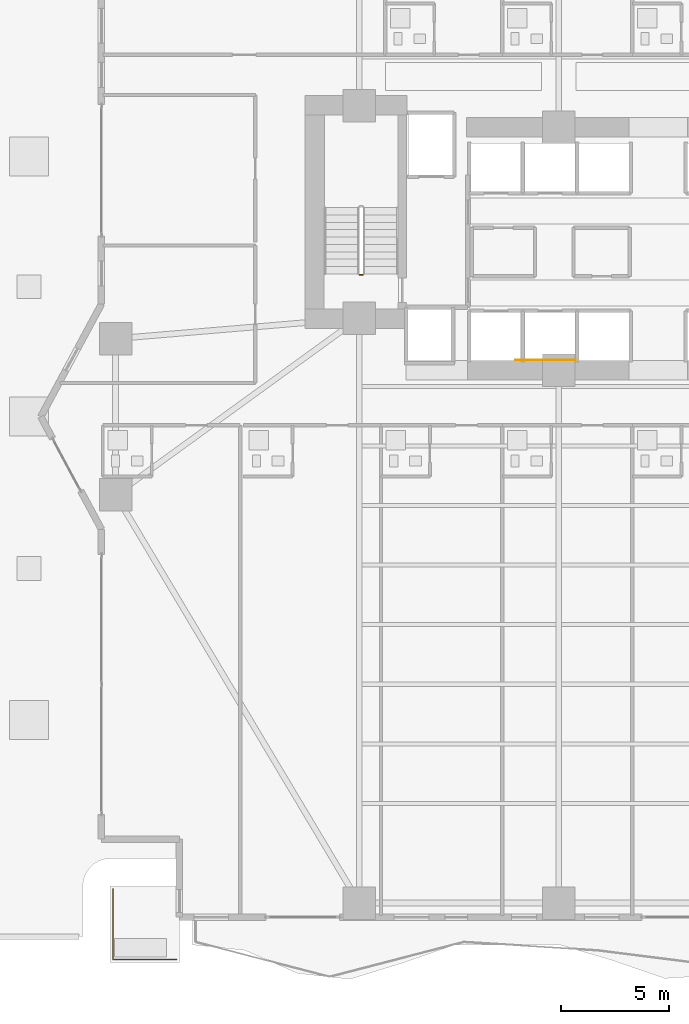
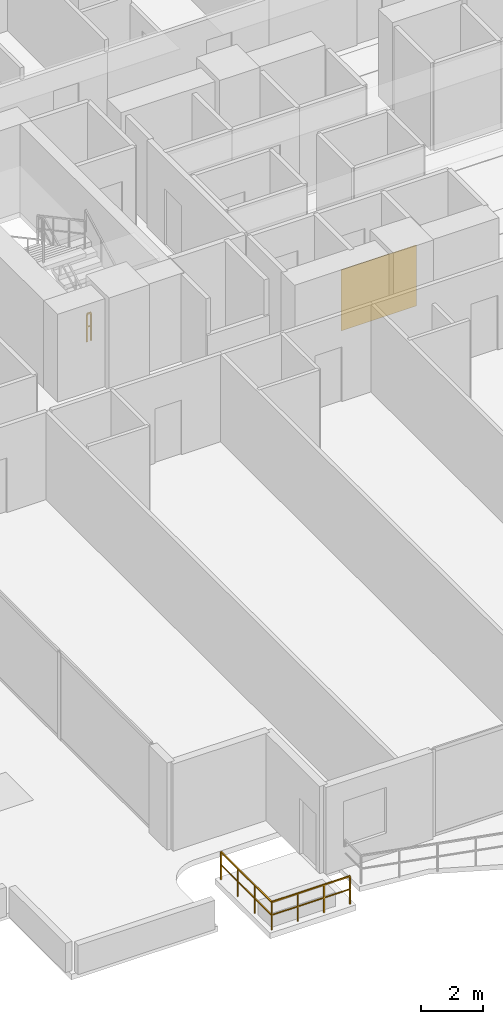
# One storey, part 26 of 30: 2 railings, 1 covering.
"""IFC4 building model written with IfcOpenShell, lengths in metres."""

from ifc_helpers import new_model, si_unit, direction, frame, origin, origin_2d, place, context, subcontext, project, spatial, rectangle, extrude, material, layer, layer_set, type_object, element, save


model = new_model("IFC4")

# Units and contexts
model_context = context("Model", 3, precision=1e-05, world=origin(), true_north=direction((0.0, 1.0)))
body_context = subcontext(model_context, "Body", "Model", "MODEL_VIEW")
ifc_project = project(units=[si_unit("LENGTHUNIT", "METRE"), si_unit("AREAUNIT", "SQUARE_METRE"), si_unit("VOLUMEUNIT", "CUBIC_METRE"), si_unit("PLANEANGLEUNIT", "RADIAN"), si_unit("MASSUNIT", "GRAM", prefix="KILO")], contexts=[model_context])

# Site, building, storey
site_placement = place(None, origin())
site = spatial("IfcSite", under=ifc_project, at=site_placement, CompositionType="ELEMENT")
building_placement = place(site_placement, origin())
building = spatial("IfcBuilding", under=site, at=building_placement, Name="Zuhayl Quay Hotel", CompositionType="ELEMENT")
storey_placement = place(building_placement, frame((0.0, 0.0, 27.60009765625)))
storey = spatial("IfcBuildingStorey", under=building, at=storey_placement, Name="L05", CompositionType="ELEMENT", Elevation=27.60009765625)

# Covering
ifc_material_1 = material(Name="Acoustic Walnut Feature Timber", Category="wood")
ifc_layer = layer(ifc_material_1, 0.02197265625, Name="Acoustic Walnut Feature Timber", Category="wood")
ifc_layer_set = layer_set([ifc_layer], Name="Acoustic Walnut Feature Timber")
covering_type = type_object("IfcCoveringType", Name="CV_WALL_CLAD", PredefinedType="CLADDING", material=ifc_layer_set)
covering_placement = place(storey_placement, frame((-5.199951171875, 2.611083984375, 0.300048828125), z_axis=(0.0, 0.0, 1.0), x_axis=(1.0, 0.0, 0.0)))
element("IfcCovering", 1, at=covering_placement, inside=storey, type_object=covering_type, Name="L05 Feature Lobby Walnut Wall Cladding W", PredefinedType="CLADDING", context=body_context, shape_type="SweptSolid", body=[
    extrude(rectangle(XDim=2.800048828125, YDim=0.02197265625, at=origin_2d()), origin(), (0.0, 0.0, 1.0), 2.39990234375),
])

# Railings
ifc_material_2 = material(Name="Anodised Aluminium and Laminated Glass", Category="aluminium")
railing_type_1 = type_object("IfcRailingType", Name="RL_EXT_BAL_1100", PredefinedType="BALUSTRADE", material=ifc_material_2)
railing_1_placement = place(storey_placement, frame((-25.159912109375, -21.7900390625, 0.0)))
element("IfcRailing", 2, at=railing_1_placement, inside=storey, type_object=railing_type_1, Name="L05 Balcony and Terrace Guard GR_L05_SPIRAL_SW", PredefinedType="BALUSTRADE", context=body_context, shape_type="SweptSolid", body=[
    extrude(rectangle(XDim=0.048095703125, YDim=0.048095703125, at=origin_2d()), frame((0.0, 0.0, 1.09619140625), z_axis=(0.0, -1.0, 0.0), x_axis=(1.0, 0.0, 0.0)), (0.0, 0.0, 1.0), 3.27001953125),
    extrude(rectangle(XDim=0.0361328125, YDim=0.0361328125, at=origin_2d()), frame((0.0, 0.0, 0.58251953125), z_axis=(0.0, -1.0, 0.0), x_axis=(1.0, 0.0, 0.0)), (0.0, 0.0, 1.0), 3.27001953125),
    extrude(rectangle(XDim=0.048095703125, YDim=0.048095703125, at=origin_2d()), frame((0.0, -3.27001953125, 1.09619140625), z_axis=(1.0, 0.0, 0.0), x_axis=(0.0, 1.0, 0.0)), (0.0, 0.0, 1.0), 2.919921875),
    extrude(rectangle(XDim=0.0361328125, YDim=0.0361328125, at=origin_2d()), frame((0.0, -3.27001953125, 0.58251953125), z_axis=(1.0, 0.0, 0.0), x_axis=(0.0, 1.0, 0.0)), (0.0, 0.0, 1.0), 2.919921875),
    extrude(rectangle(XDim=0.0419921875, YDim=0.0419921875, at=origin_2d()), origin(), (0.0, 0.0, 1.0), 1.072021484375),
    extrude(rectangle(XDim=0.0419921875, YDim=0.0419921875, at=origin_2d()), frame((0.0, -1.090087890625, 0.0)), (0.0, 0.0, 1.0), 1.072021484375),
    extrude(rectangle(XDim=0.0419921875, YDim=0.0419921875, at=origin_2d()), frame((0.0, -2.179931640625, 0.0)), (0.0, 0.0, 1.0), 1.072021484375),
    extrude(rectangle(XDim=0.0419921875, YDim=0.0419921875, at=origin_2d()), frame((0.0, -3.27001953125, 0.0)), (0.0, 0.0, 1.0), 1.072021484375),
    extrude(rectangle(XDim=0.0419921875, YDim=0.0419921875, at=origin_2d()), frame((0.973388671875, -3.27001953125, 0.0)), (0.0, 0.0, 1.0), 1.072021484375),
    extrude(rectangle(XDim=0.0419921875, YDim=0.0419921875, at=origin_2d()), frame((1.946533203125, -3.27001953125, 0.0)), (0.0, 0.0, 1.0), 1.072021484375),
    extrude(rectangle(XDim=0.0419921875, YDim=0.0419921875, at=origin_2d()), frame((2.919921875, -3.27001953125, 0.0)), (0.0, 0.0, 1.0), 1.072021484375),
])
ifc_material_3 = material(Name="Steel ASTM A992 Grade 50", Category="steel")
railing_type_2 = type_object("IfcRailingType", Name="RL_GUARD_1100", PredefinedType="GUARDRAIL", material=ifc_material_3)
railing_2_placement = place(storey_placement, frame((-13.639892578125, 6.5400390625, 0.0)))
element("IfcRailing", 3, at=railing_2_placement, inside=storey, type_object=railing_type_2, Name="L05 ST1 stair guard 4", PredefinedType="GUARDRAIL", context=body_context, shape_type="SweptSolid", body=[
    extrude(rectangle(XDim=0.048095703125, YDim=0.048095703125, at=origin_2d()), frame((0.0, 0.0, 1.09619140625), z_axis=(-1.0, 0.0, 0.0), x_axis=(0.0, -1.0, 0.0)), (0.0, 0.0, 1.0), 0.150146484375),
    extrude(rectangle(XDim=0.0361328125, YDim=0.0361328125, at=origin_2d()), frame((0.0, 0.0, 0.58251953125), z_axis=(-1.0, 0.0, 0.0), x_axis=(0.0, -1.0, 0.0)), (0.0, 0.0, 1.0), 0.150146484375),
    extrude(rectangle(XDim=0.0419921875, YDim=0.0419921875, at=origin_2d()), origin(), (0.0, 0.0, 1.0), 1.072021484375),
    extrude(rectangle(XDim=0.0419921875, YDim=0.0419921875, at=origin_2d()), frame((-0.150146484375, 0.0, 0.0)), (0.0, 0.0, 1.0), 1.072021484375),
])

save(model, "model.ifc")
